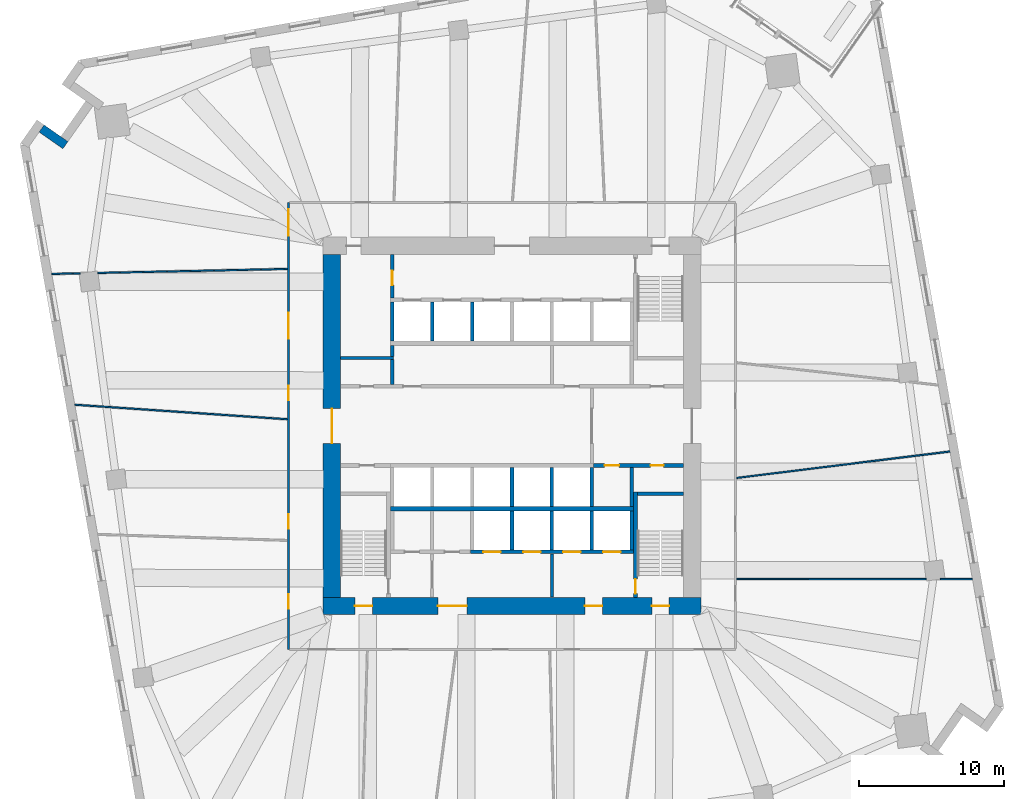
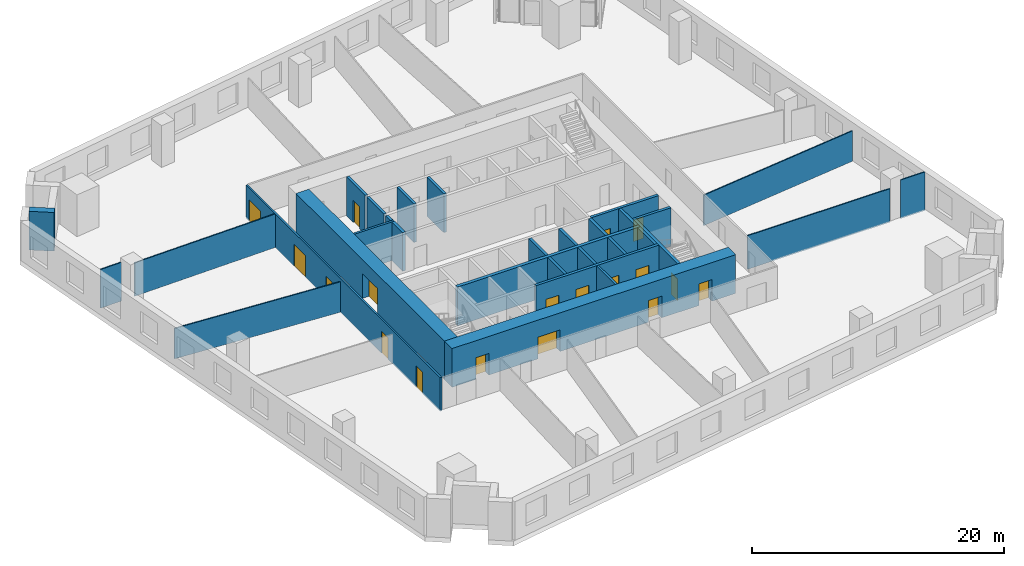
# One storey, part 5 of 10: 31 walls, 18 doors, 18 openings.
"""IFC4 building model written with IfcOpenShell, lengths in metres."""

from ifc_helpers import new_model, si_unit, direction, frame, frame_2d, origin, place, context, subcontext, project, spatial, rectangle, extrude, material, layer, layer_set, type_object, element, fill, save


model = new_model("IFC4")

# Units and contexts
model_context = context("Model", 3, precision=1e-05, world=origin(), true_north=direction((0.0, 1.0)))
body_context = subcontext(model_context, "Body", "Model", "MODEL_VIEW")
ifc_project = project(units=[si_unit("LENGTHUNIT", "METRE"), si_unit("AREAUNIT", "SQUARE_METRE"), si_unit("VOLUMEUNIT", "CUBIC_METRE"), si_unit("PLANEANGLEUNIT", "RADIAN"), si_unit("MASSUNIT", "GRAM", prefix="KILO")], contexts=[model_context])

# Site, building, storey
site_placement = place(None, origin())
site = spatial("IfcSite", under=ifc_project, at=site_placement, CompositionType="ELEMENT")
building_placement = place(site_placement, origin())
building = spatial("IfcBuilding", under=site, at=building_placement, Name="Dilmun Exchange Tower", CompositionType="ELEMENT")
storey_placement = place(building_placement, frame((0.0, 0.0, 63.89990234375)))
storey = spatial("IfcBuildingStorey", under=building, at=storey_placement, Name="L14", CompositionType="ELEMENT", Elevation=63.89990234375)

# Walls
ifc_material_1 = material(Name="Concrete C40/50", Category="concrete")
ifc_layer_1 = layer(ifc_material_1, 0.199951171875)
ifc_layer_set_1 = layer_set([ifc_layer_1], Name="Concrete C40/50")
wall_type_1 = type_object("IfcWallType", Name="Core partition wall 200", PredefinedType="PARTITIONING", material=ifc_layer_set_1)
wall_1_placement = place(storey_placement, frame((2.75, -11.794921875, 0.0), z_axis=(0.0, 0.0, 1.0), x_axis=(0.0, 1.0, 0.0)))
element("IfcWall", 1, at=wall_1_placement, inside=storey, type_object=wall_type_1, Name="L14 core partition wall 02", PredefinedType="PARTITIONING", context=body_context, shape_type="SweptSolid", body=[
    extrude(rectangle(XDim=2.989990234375, YDim=0.199951171875, at=frame_2d((1.4951171875, 0.0))), origin(), (0.0, 0.0, 1.0), 3.75),
])
wall_2_placement = place(storey_placement, frame((-11.794921875, 4.675048828125, 0.0), z_axis=(0.0, 0.0, 1.0), x_axis=(1.0, 0.0, 0.0)))
element("IfcWall", 2, at=wall_2_placement, inside=storey, type_object=wall_type_1, Name="L14 core partition wall 14", PredefinedType="PARTITIONING", context=body_context, shape_type="SweptSolid", body=[
    extrude(rectangle(XDim=3.64501953125, YDim=0.199951171875, at=frame_2d((1.822509765625, 0.0))), origin(), (0.0, 0.0, 1.0), 3.75),
])
ifc_layer_2 = layer(ifc_material_1, 0.25)
ifc_layer_set_2 = layer_set([ifc_layer_2], Name="Concrete C40/50")
wall_type_2 = type_object("IfcWallType", Name="Core partition wall 250", PredefinedType="PARTITIONING", material=ifc_layer_set_2)
wall_3_placement = place(storey_placement, frame((8.25, -5.544921875, 0.0), z_axis=(0.0, 0.0, 1.0), x_axis=(0.0, 1.0, 0.0)))
element("IfcWall", 3, at=wall_3_placement, inside=storey, type_object=wall_type_2, Name="L14 core partition wall 06", PredefinedType="PARTITIONING", context=body_context, shape_type="SweptSolid", body=[
    extrude(rectangle(XDim=2.68994140625, YDim=0.25, at=frame_2d((1.344970703125, 0.0))), origin(), (0.0, 0.0, 1.0), 3.75),
])

# Wall, openings, doors
wall_4_placement = place(storey_placement, frame((5.6298828125, -2.72509765625, 0.0), z_axis=(0.0, 0.0, 1.0), x_axis=(1.0, 0.0, 0.0)))
wall_4 = element("IfcWall", 4, at=wall_4_placement, inside=storey, type_object=wall_type_2, Name="L14 core partition wall 08", PredefinedType="PARTITIONING", context=body_context, shape_type="SweptSolid", body=[
    extrude(rectangle(XDim=6.1650390625, YDim=0.25, at=frame_2d((3.08251953125, 0.0))), origin(), (0.0, 0.0, 1.0), 3.75),
])
opening_1_placement = place(wall_4_placement, frame((0.7451171875, 0.0, 0.0)))
opening_1 = element("IfcOpeningElement", 5, at=opening_1_placement, cuts=wall_4, Name="Opening CD4", PredefinedType="OPENING", context=body_context, shape_type="SweptSolid", body=[
    extrude(rectangle(XDim=1.0, YDim=2.10009765625, at=frame_2d((0.5, 1.050048828125))), frame((0.0, 0.135009765625, 0.0), z_axis=(0.0, -1.0, 0.0), x_axis=(1.0, 0.0, 0.0)), (0.0, 0.0, 1.0), 0.27001953125),
])
opening_2_placement = place(wall_4_placement, frame((3.919921875, 0.0, 0.0)))
opening_2 = element("IfcOpeningElement", 6, at=opening_2_placement, cuts=wall_4, Name="Opening CD6", PredefinedType="OPENING", context=body_context, shape_type="SweptSolid", body=[
    extrude(rectangle(XDim=0.89990234375, YDim=2.10009765625, at=frame_2d((0.449951171875, 1.050048828125))), frame((0.0, 0.135009765625, 0.0), z_axis=(0.0, -1.0, 0.0), x_axis=(1.0, 0.0, 0.0)), (0.0, 0.0, 1.0), 0.27001953125),
])
ifc_material_2 = material(Name="Fire-rated steel door set", Category="steel")
door_type_1 = type_object("IfcDoorType", Name="Core room door 1000x2100", OperationType="SINGLE_SWING_LEFT", PredefinedType="DOOR", material=ifc_material_2)
door_1_placement = place(opening_1_placement, origin())
door_1 = element("IfcDoor", 7, at=door_1_placement, inside=storey, type_object=door_type_1, Name="L14 door Cleaners' store", OperationType="SINGLE_SWING_LEFT", OverallHeight=2.10009765625, OverallWidth=1.0, PredefinedType="DOOR", context=body_context, shape_type="SweptSolid", body=[
    extrude(rectangle(XDim=1.0, YDim=2.10009765625, at=frame_2d((0.5, 1.050048828125))), frame((0.0, 0.02490234375, 0.0), z_axis=(0.0, -1.0, 0.0), x_axis=(1.0, 0.0, 0.0)), (0.0, 0.0, 1.0), 0.050048828125),
])
fill(opening_1, door_1)
door_type_2 = type_object("IfcDoorType", Name="Core room door 900x2100", OperationType="SINGLE_SWING_LEFT", PredefinedType="DOOR", material=ifc_material_2)
door_2_placement = place(opening_2_placement, origin())
door_2 = element("IfcDoor", 8, at=door_2_placement, inside=storey, type_object=door_type_2, Name="L14 door Comms riser", OperationType="SINGLE_SWING_LEFT", OverallHeight=2.10009765625, OverallWidth=0.89990234375, PredefinedType="DOOR", context=body_context, shape_type="SweptSolid", body=[
    extrude(rectangle(XDim=0.89990234375, YDim=2.10009765625, at=frame_2d((0.449951171875, 1.050048828125))), frame((0.0, 0.02490234375, 0.0), z_axis=(0.0, -1.0, 0.0), x_axis=(1.0, 0.0, 0.0)), (0.0, 0.0, 1.0), 0.050048828125),
])
fill(opening_2, door_2)

# Walls
wall_5_placement = place(storey_placement, frame((-8.25, 2.85498046875, 0.0), z_axis=(0.0, 0.0, 1.0), x_axis=(0.0, 1.0, 0.0)))
element("IfcWall", 9, at=wall_5_placement, inside=storey, type_object=wall_type_2, Name="L14 core partition wall 11", PredefinedType="PARTITIONING", context=body_context, shape_type="SweptSolid", body=[
    extrude(rectangle(XDim=1.715087890625, YDim=0.25, at=frame_2d((0.857421875, 0.0))), origin(), (0.0, 0.0, 1.0), 3.75),
])
wall_6_placement = place(storey_placement, frame((-8.25, 4.780029296875, 0.0), z_axis=(0.0, 0.0, 1.0), x_axis=(0.0, 1.0, 0.0)))
element("IfcWall", 10, at=wall_6_placement, inside=storey, type_object=wall_type_2, Name="L14 core partition wall 15", PredefinedType="PARTITIONING", context=body_context, shape_type="SweptSolid", body=[
    extrude(rectangle(XDim=0.764892578125, YDim=0.25, at=frame_2d((0.38232421875, 0.0))), origin(), (0.0, 0.0, 1.0), 3.75),
])

# Wall, opening, door
wall_7_placement = place(storey_placement, frame((-8.25, 8.804931640625, 0.0), z_axis=(0.0, 0.0, 1.0), x_axis=(0.0, 1.0, 0.0)))
wall_7 = element("IfcWall", 11, at=wall_7_placement, inside=storey, type_object=wall_type_2, Name="L14 core partition wall 16", PredefinedType="PARTITIONING", context=body_context, shape_type="SweptSolid", body=[
    extrude(rectangle(XDim=2.989990234375, YDim=0.25, at=frame_2d((1.4951171875, 0.0))), origin(), (0.0, 0.0, 1.0), 3.75),
])
opening_3_placement = place(wall_7_placement, frame((0.89501953125, 0.0, 0.0)))
opening_3 = element("IfcOpeningElement", 12, at=opening_3_placement, cuts=wall_7, Name="Opening CD4", PredefinedType="OPENING", context=body_context, shape_type="SweptSolid", body=[
    extrude(rectangle(XDim=1.0, YDim=2.10009765625, at=frame_2d((0.5, 1.050048828125))), frame((0.0, 0.135009765625, 0.0), z_axis=(0.0, -1.0, 0.0), x_axis=(1.0, 0.0, 0.0)), (0.0, 0.0, 1.0), 0.27001953125),
])
door_3_placement = place(opening_3_placement, origin())
door_3 = element("IfcDoor", 13, at=door_3_placement, inside=storey, type_object=door_type_1, Name="L14 door Facilities office", OperationType="SINGLE_SWING_LEFT", OverallHeight=2.10009765625, OverallWidth=1.0, PredefinedType="DOOR", context=body_context, shape_type="SweptSolid", body=[
    extrude(rectangle(XDim=1.0, YDim=2.10009765625, at=frame_2d((0.5, 1.050048828125))), frame((0.0, 0.02490234375, 0.0), z_axis=(0.0, -1.0, 0.0), x_axis=(1.0, 0.0, 0.0)), (0.0, 0.0, 1.0), 0.050048828125),
])
fill(opening_3, door_3)

# Wall, openings, doors
ifc_material_3 = material(Name="Concrete C80/95", Category="concrete")
ifc_layer_3 = layer(ifc_material_3, 1.199951171875)
ifc_layer_set_3 = layer_set([ifc_layer_3], Name="Concrete C80/95")
wall_type_3 = type_object("IfcWallType", Name="Core shear wall 1200 Concrete C80/95", PredefinedType="SHEAR", material=ifc_layer_set_3)
wall_8_placement = place(storey_placement, frame((-13.0, -12.39990234375, 0.0), z_axis=(0.0, 0.0, 1.0), x_axis=(1.0, 0.0, 0.0)))
wall_8 = element("IfcWall", 14, at=wall_8_placement, inside=storey, type_object=wall_type_3, Name="L14 core shear wall S", PredefinedType="SHEAR", context=body_context, shape_type="SweptSolid", body=[
    extrude(rectangle(XDim=26.0, YDim=1.199951171875, at=frame_2d((13.0, 0.0))), origin(), (0.0, 0.0, 1.0), 3.75),
])
opening_4_placement = place(wall_8_placement, frame((7.89990234375, 0.0, 0.0)))
opening_4 = element("IfcOpeningElement", 15, at=opening_4_placement, cuts=wall_8, Name="Opening CD2", PredefinedType="OPENING", context=body_context, shape_type="SweptSolid", body=[
    extrude(rectangle(XDim=2.0, YDim=2.10009765625, at=frame_2d((1.0, 1.050048828125))), frame((0.0, 0.60986328125, 0.0), z_axis=(0.0, -1.0, 0.0), x_axis=(1.0, 0.0, 0.0)), (0.0, 0.0, 1.0), 1.219970703125),
])
opening_5_placement = place(wall_8_placement, frame((18.02490234375, 0.0, 0.0)))
opening_5 = element("IfcOpeningElement", 16, at=opening_5_placement, cuts=wall_8, Name="Opening CD3", PredefinedType="OPENING", context=body_context, shape_type="SweptSolid", body=[
    extrude(rectangle(XDim=1.199951171875, YDim=2.10009765625, at=frame_2d((0.60009765625, 1.050048828125))), frame((0.0, 0.60986328125, 0.0), z_axis=(0.0, -1.0, 0.0), x_axis=(1.0, 0.0, 0.0)), (0.0, 0.0, 1.0), 1.219970703125),
])
opening_6_placement = place(wall_8_placement, frame((2.175048828125, 0.0, 0.0)))
opening_6 = element("IfcOpeningElement", 17, at=opening_6_placement, cuts=wall_8, Name="Opening CD3", PredefinedType="OPENING", context=body_context, shape_type="SweptSolid", body=[
    extrude(rectangle(XDim=1.199951171875, YDim=2.10009765625, at=frame_2d((0.60009765625, 1.050048828125))), frame((0.0, 0.60986328125, 0.0), z_axis=(0.0, -1.0, 0.0), x_axis=(1.0, 0.0, 0.0)), (0.0, 0.0, 1.0), 1.219970703125),
])
opening_7_placement = place(wall_8_placement, frame((22.625, 0.0, 0.0)))
opening_7 = element("IfcOpeningElement", 18, at=opening_7_placement, cuts=wall_8, Name="Opening CD3", PredefinedType="OPENING", context=body_context, shape_type="SweptSolid", body=[
    extrude(rectangle(XDim=1.199951171875, YDim=2.10009765625, at=frame_2d((0.60009765625, 1.050048828125))), frame((0.0, 0.60986328125, 0.0), z_axis=(0.0, -1.0, 0.0), x_axis=(1.0, 0.0, 0.0)), (0.0, 0.0, 1.0), 1.219970703125),
])
door_type_3 = type_object("IfcDoorType", Name="Core service door 2000x2100", OperationType="DOUBLE_DOOR_DOUBLE_SWING", PredefinedType="DOOR", material=ifc_material_2)
door_4_placement = place(opening_4_placement, origin())
door_4 = element("IfcDoor", 19, at=door_4_placement, inside=storey, type_object=door_type_3, Name="L14 door South service lobby", OperationType="SINGLE_SWING_LEFT", OverallHeight=2.10009765625, OverallWidth=2.0, PredefinedType="DOOR", context=body_context, shape_type="SweptSolid", body=[
    extrude(rectangle(XDim=2.0, YDim=2.10009765625, at=frame_2d((1.0, 1.050048828125))), frame((0.0, 0.02490234375, 0.0), z_axis=(0.0, -1.0, 0.0), x_axis=(1.0, 0.0, 0.0)), (0.0, 0.0, 1.0), 0.050048828125),
])
fill(opening_4, door_4)
door_type_4 = type_object("IfcDoorType", Name="Stair exit door 1200x2100", OperationType="SINGLE_SWING_LEFT", PredefinedType="DOOR", material=ifc_material_2)
door_5_placement = place(opening_5_placement, origin())
door_5 = element("IfcDoor", 20, at=door_5_placement, inside=storey, type_object=door_type_4, Name="L14 door Fire-fighting lobby", OperationType="SINGLE_SWING_LEFT", OverallHeight=2.10009765625, OverallWidth=1.199951171875, PredefinedType="DOOR", context=body_context, shape_type="SweptSolid", body=[
    extrude(rectangle(XDim=1.199951171875, YDim=2.10009765625, at=frame_2d((0.60009765625, 1.050048828125))), frame((0.0, 0.02490234375, 0.0), z_axis=(0.0, -1.0, 0.0), x_axis=(1.0, 0.0, 0.0)), (0.0, 0.0, 1.0), 0.050048828125),
])
fill(opening_5, door_5)
door_6_placement = place(opening_6_placement, origin())
door_6 = element("IfcDoor", 21, at=door_6_placement, inside=storey, type_object=door_type_4, Name="L14 door Stair ST2", OperationType="SINGLE_SWING_LEFT", OverallHeight=2.10009765625, OverallWidth=1.199951171875, PredefinedType="DOOR", context=body_context, shape_type="SweptSolid", body=[
    extrude(rectangle(XDim=1.199951171875, YDim=2.10009765625, at=frame_2d((0.60009765625, 1.050048828125))), frame((0.0, 0.02490234375, 0.0), z_axis=(0.0, -1.0, 0.0), x_axis=(1.0, 0.0, 0.0)), (0.0, 0.0, 1.0), 0.050048828125),
])
fill(opening_6, door_6)
door_7_placement = place(opening_7_placement, origin())
door_7 = element("IfcDoor", 22, at=door_7_placement, inside=storey, type_object=door_type_4, Name="L14 door Stair ST3", OperationType="SINGLE_SWING_LEFT", OverallHeight=2.10009765625, OverallWidth=1.199951171875, PredefinedType="DOOR", context=body_context, shape_type="SweptSolid", body=[
    extrude(rectangle(XDim=1.199951171875, YDim=2.10009765625, at=frame_2d((0.60009765625, 1.050048828125))), frame((0.0, 0.02490234375, 0.0), z_axis=(0.0, -1.0, 0.0), x_axis=(1.0, 0.0, 0.0)), (0.0, 0.0, 1.0), 0.050048828125),
])
fill(opening_7, door_7)

# Wall, opening, door
wall_9_placement = place(storey_placement, frame((-12.39990234375, -11.800048828125, 0.0), z_axis=(0.0, 0.0, 1.0), x_axis=(0.0, 1.0, 0.0)))
wall_9 = element("IfcWall", 23, at=wall_9_placement, inside=storey, type_object=wall_type_3, Name="L14 core shear wall W", PredefinedType="SHEAR", context=body_context, shape_type="SweptSolid", body=[
    extrude(rectangle(XDim=23.60009765625, YDim=1.199951171875, at=frame_2d((11.800048828125, 0.0))), origin(), (0.0, 0.0, 1.0), 3.75),
])
opening_8_placement = place(wall_9_placement, frame((10.60009765625, 0.0, 0.0)))
opening_8 = element("IfcOpeningElement", 24, at=opening_8_placement, cuts=wall_9, Name="Opening CD1", PredefinedType="OPENING", context=body_context, shape_type="SweptSolid", body=[
    extrude(rectangle(XDim=2.39990234375, YDim=2.39990234375, at=frame_2d((1.199951171875, 1.199951171875))), frame((0.0, 0.60986328125, 0.0), z_axis=(0.0, -1.0, 0.0), x_axis=(1.0, 0.0, 0.0)), (0.0, 0.0, 1.0), 1.219970703125),
])
door_type_5 = type_object("IfcDoorType", Name="Core lobby door 2400x2400", OperationType="DOUBLE_DOOR_DOUBLE_SWING", PredefinedType="DOOR", material=ifc_material_2)
door_8_placement = place(opening_8_placement, origin())
door_8 = element("IfcDoor", 25, at=door_8_placement, inside=storey, type_object=door_type_5, Name="L14 door Central lift lobby", OperationType="SINGLE_SWING_LEFT", OverallHeight=2.39990234375, OverallWidth=2.39990234375, PredefinedType="DOOR", context=body_context, shape_type="SweptSolid", body=[
    extrude(rectangle(XDim=2.39990234375, YDim=2.39990234375, at=frame_2d((1.199951171875, 1.199951171875))), frame((0.0, 0.02490234375, 0.0), z_axis=(0.0, -1.0, 0.0), x_axis=(1.0, 0.0, 0.0)), (0.0, 0.0, 1.0), 0.050048828125),
])
fill(opening_8, door_8)

# Wall, openings, doors
ifc_material_4 = material(Name="Corridor wall 150")
ifc_layer_4 = layer(ifc_material_4, 0.14990234375)
ifc_layer_set_4 = layer_set([ifc_layer_4], Name="Corridor wall 150")
wall_type_4 = type_object("IfcWallType", Name="Corridor wall 150", PredefinedType="PARTITIONING", material=ifc_layer_set_4)
wall_10_placement = place(storey_placement, frame((-15.39990234375, -15.39990234375, 0.0), z_axis=(0.0, 0.0, 1.0), x_axis=(0.0, 1.0, 0.0)))
wall_10 = element("IfcWall", 26, at=wall_10_placement, inside=storey, type_object=wall_type_4, Name="Corridor wall", PredefinedType="PARTITIONING", context=body_context, shape_type="SweptSolid", body=[
    extrude(rectangle(XDim=30.7998046875, YDim=0.14990234375, at=frame_2d((15.39990234375, 0.0))), origin(), (0.0, 0.0, 1.0), 3.25),
])
opening_9_placement = place(wall_10_placement, frame((21.40771484375, 0.0, 0.0)))
opening_9 = element("IfcOpeningElement", 27, at=opening_9_placement, cuts=wall_10, Name="Opening TF13-D01", PredefinedType="OPENING", context=body_context, shape_type="SweptSolid", body=[
    extrude(rectangle(XDim=1.800048828125, YDim=2.10009765625, at=frame_2d((0.89990234375, 1.050048828125))), frame((0.0, 0.0849609375, 0.0), z_axis=(0.0, -1.0, 0.0), x_axis=(1.0, 0.0, 0.0)), (0.0, 0.0, 1.0), 0.169921875),
])
opening_10_placement = place(wall_10_placement, frame((17.15771484375, 0.0, 0.0)))
opening_10 = element("IfcOpeningElement", 28, at=opening_10_placement, cuts=wall_10, Name="Opening TF13-D02", PredefinedType="OPENING", context=body_context, shape_type="SweptSolid", body=[
    extrude(rectangle(XDim=1.0, YDim=2.10009765625, at=frame_2d((0.5, 1.050048828125))), frame((0.0, 0.0849609375, 0.0), z_axis=(0.0, -1.0, 0.0), x_axis=(1.0, 0.0, 0.0)), (0.0, 0.0, 1.0), 0.169921875),
])
opening_11_placement = place(wall_10_placement, frame((8.31640625, 0.0, 0.0)))
opening_11 = element("IfcOpeningElement", 29, at=opening_11_placement, cuts=wall_10, Name="Opening TF13-D03", PredefinedType="OPENING", context=body_context, shape_type="SweptSolid", body=[
    extrude(rectangle(XDim=1.0, YDim=2.10009765625, at=frame_2d((0.5, 1.050048828125))), frame((0.0, 0.0849609375, 0.0), z_axis=(0.0, -1.0, 0.0), x_axis=(1.0, 0.0, 0.0)), (0.0, 0.0, 1.0), 0.169921875),
])
opening_12_placement = place(wall_10_placement, frame((28.516357421875, 0.0, 0.0)))
opening_12 = element("IfcOpeningElement", 30, at=opening_12_placement, cuts=wall_10, Name="Opening TF13-D04", PredefinedType="OPENING", context=body_context, shape_type="SweptSolid", body=[
    extrude(rectangle(XDim=1.800048828125, YDim=2.10009765625, at=frame_2d((0.89990234375, 1.050048828125))), frame((0.0, 0.0849609375, 0.0), z_axis=(0.0, -1.0, 0.0), x_axis=(1.0, 0.0, 0.0)), (0.0, 0.0, 1.0), 0.169921875),
])
opening_13_placement = place(wall_10_placement, frame((2.800048828125, 0.0, 0.0)))
opening_13 = element("IfcOpeningElement", 31, at=opening_13_placement, cuts=wall_10, Name="Opening TF13-D07", PredefinedType="OPENING", context=body_context, shape_type="SweptSolid", body=[
    extrude(rectangle(XDim=1.0, YDim=2.10009765625, at=frame_2d((0.5, 1.050048828125))), frame((0.0, 0.0849609375, 0.0), z_axis=(0.0, -1.0, 0.0), x_axis=(1.0, 0.0, 0.0)), (0.0, 0.0, 1.0), 0.169921875),
])
ifc_material_5 = material(Name="Fire door 1000 x 2100")
door_type_6 = type_object("IfcDoorType", Name="Fire door 1000 x 2100", OperationType="NOTDEFINED", PredefinedType="DOOR", material=ifc_material_5)
door_9_placement = place(opening_10_placement, origin())
door_9 = element("IfcDoor", 32, at=door_9_placement, inside=storey, type_object=door_type_6, Name="Door TF13-D02", OperationType="SINGLE_SWING_LEFT", OverallHeight=2.10009765625, OverallWidth=1.0, PredefinedType="DOOR", context=body_context, shape_type="SweptSolid", body=[
    extrude(rectangle(XDim=1.0, YDim=2.10009765625, at=frame_2d((0.5, 1.050048828125))), frame((0.0, 0.02490234375, 0.0), z_axis=(0.0, -1.0, 0.0), x_axis=(1.0, 0.0, 0.0)), (0.0, 0.0, 1.0), 0.050048828125),
])
fill(opening_10, door_9)
door_10_placement = place(opening_11_placement, origin())
door_10 = element("IfcDoor", 33, at=door_10_placement, inside=storey, type_object=door_type_6, Name="Door TF13-D03", OperationType="SINGLE_SWING_RIGHT", OverallHeight=2.10009765625, OverallWidth=1.0, PredefinedType="DOOR", context=body_context, shape_type="SweptSolid", body=[
    extrude(rectangle(XDim=1.0, YDim=2.10009765625, at=frame_2d((0.5, 1.050048828125))), frame((0.0, 0.02490234375, 0.0), z_axis=(0.0, -1.0, 0.0), x_axis=(1.0, 0.0, 0.0)), (0.0, 0.0, 1.0), 0.050048828125),
])
fill(opening_11, door_10)
door_11_placement = place(opening_13_placement, origin())
door_11 = element("IfcDoor", 34, at=door_11_placement, inside=storey, type_object=door_type_6, Name="Door TF13-D07", OperationType="SINGLE_SWING_RIGHT", OverallHeight=2.10009765625, OverallWidth=1.0, PredefinedType="DOOR", context=body_context, shape_type="SweptSolid", body=[
    extrude(rectangle(XDim=1.0, YDim=2.10009765625, at=frame_2d((0.5, 1.050048828125))), frame((0.0, 0.02490234375, 0.0), z_axis=(0.0, -1.0, 0.0), x_axis=(1.0, 0.0, 0.0)), (0.0, 0.0, 1.0), 0.050048828125),
])
fill(opening_13, door_11)
ifc_material_6 = material(Name="Fire door pair 1800 x 2100")
door_type_7 = type_object("IfcDoorType", Name="Fire door pair 1800 x 2100", OperationType="NOTDEFINED", PredefinedType="DOOR", material=ifc_material_6)
door_12_placement = place(opening_9_placement, origin())
door_12 = element("IfcDoor", 35, at=door_12_placement, inside=storey, type_object=door_type_7, Name="Door TF13-D01", OperationType="DOUBLE_DOOR_SINGLE_SWING", OverallHeight=2.10009765625, OverallWidth=1.800048828125, PredefinedType="DOOR", context=body_context, shape_type="SweptSolid", body=[
    extrude(rectangle(XDim=1.800048828125, YDim=2.10009765625, at=frame_2d((0.89990234375, 1.050048828125))), frame((0.0, 0.02490234375, 0.0), z_axis=(0.0, -1.0, 0.0), x_axis=(1.0, 0.0, 0.0)), (0.0, 0.0, 1.0), 0.050048828125),
])
fill(opening_9, door_12)
door_13_placement = place(opening_12_placement, origin())
door_13 = element("IfcDoor", 36, at=door_13_placement, inside=storey, type_object=door_type_7, Name="Door TF13-D04", OperationType="DOUBLE_DOOR_SINGLE_SWING", OverallHeight=2.10009765625, OverallWidth=1.800048828125, PredefinedType="DOOR", context=body_context, shape_type="SweptSolid", body=[
    extrude(rectangle(XDim=1.800048828125, YDim=2.10009765625, at=frame_2d((0.89990234375, 1.050048828125))), frame((0.0, 0.02490234375, 0.0), z_axis=(0.0, -1.0, 0.0), x_axis=(1.0, 0.0, 0.0)), (0.0, 0.0, 1.0), 0.050048828125),
])
fill(opening_12, door_13)

# Walls
ifc_layer_5 = layer(ifc_material_1, 0.300048828125)
ifc_layer_set_5 = layer_set([ifc_layer_5], Name="Concrete C40/50")
wall_type_5 = type_object("IfcWallType", Name="Lift shaft shared wall 300", PredefinedType="SOLIDWALL", material=ifc_layer_set_5)
wall_11_placement = place(storey_placement, frame((-8.375, -5.699951171875, 0.0), z_axis=(0.0, 0.0, 1.0), x_axis=(1.0, 0.0, 0.0)))
element("IfcWall", 37, at=wall_11_placement, inside=storey, type_object=wall_type_5, Name="L14 lift shaft rear wall S", PredefinedType="SOLIDWALL", context=body_context, shape_type="SweptSolid", body=[
    extrude(rectangle(XDim=16.75, YDim=0.300048828125, at=frame_2d((8.375, 0.0))), origin(), (0.0, 0.0, 1.0), 3.75),
])
ifc_layer_6 = layer(ifc_material_1, 0.25)
ifc_layer_set_6 = layer_set([ifc_layer_6], Name="Concrete C40/50")
wall_type_6 = type_object("IfcWallType", Name="Lift shaft wall 250", PredefinedType="SOLIDWALL", material=ifc_layer_set_6)
for number, where, z_axis, x_axis, name in (
    (38, (-8.25, 5.85009765625, 0.0), (0.0, 0.0, 1.0), (0.0, 1.0, 0.0), "L14 lift shaft divider N20"),
    (39, (-5.5, 5.85009765625, 0.0), (0.0, 0.0, 1.0), (0.0, 1.0, 0.0), "L14 lift shaft divider N21"),
    (40, (-2.75, 5.85009765625, 0.0), (0.0, 0.0, 1.0), (0.0, 1.0, 0.0), "L14 lift shaft divider N22"),
    (41, (0.0, -5.550048828125, 0.0), (0.0, 0.0, 1.0), (0.0, 1.0, 0.0), "L14 lift shaft divider S13"),
    (42, (2.75, -5.550048828125, 0.0), (0.0, 0.0, 1.0), (0.0, 1.0, 0.0), "L14 lift shaft divider S14"),
    (43, (5.5, -5.550048828125, 0.0), (0.0, 0.0, 1.0), (0.0, 1.0, 0.0), "L14 lift shaft divider S15"),
):
    element("IfcWall", number, at=place(storey_placement, frame(where, z_axis=z_axis, x_axis=x_axis)), inside=storey, type_object=wall_type_6, Name=name, PredefinedType="SOLIDWALL", context=body_context, shape_type="SweptSolid", body=[
        extrude(rectangle(XDim=2.699951171875, YDim=0.25, at=frame_2d((1.35009765625, 0.0))), origin(), (0.0, 0.0, 1.0), 3.75),
    ])

# Wall, openings, doors
wall_12_placement = place(storey_placement, frame((-2.875, -8.675048828125, 0.0), z_axis=(0.0, 0.0, 1.0), x_axis=(1.0, 0.0, 0.0)))
wall_12 = element("IfcWall", 44, at=wall_12_placement, inside=storey, type_object=wall_type_6, Name="L14 lift shaft front wall S2", PredefinedType="SOLIDWALL", context=body_context, shape_type="SweptSolid", body=[
    extrude(rectangle(XDim=11.25, YDim=0.25, at=frame_2d((5.625, 0.0))), origin(), (0.0, 0.0, 1.0), 3.75),
])
opening_14_placement = place(wall_12_placement, frame((0.89990234375, 0.0, 0.0)))
opening_14 = element("IfcOpeningElement", 45, at=opening_14_placement, cuts=wall_12, Name="Opening LD", PredefinedType="OPENING", context=body_context, shape_type="SweptSolid", body=[
    extrude(rectangle(XDim=1.199951171875, YDim=2.10009765625, at=frame_2d((0.60009765625, 1.050048828125))), frame((0.0, 0.135009765625, 0.0), z_axis=(0.0, -1.0, 0.0), x_axis=(1.0, 0.0, 0.0)), (0.0, 0.0, 1.0), 0.27001953125),
])
opening_15_placement = place(wall_12_placement, frame((3.64990234375, 0.0, 0.0)))
opening_15 = element("IfcOpeningElement", 46, at=opening_15_placement, cuts=wall_12, Name="Opening LD", PredefinedType="OPENING", context=body_context, shape_type="SweptSolid", body=[
    extrude(rectangle(XDim=1.199951171875, YDim=2.10009765625, at=frame_2d((0.60009765625, 1.050048828125))), frame((0.0, 0.135009765625, 0.0), z_axis=(0.0, -1.0, 0.0), x_axis=(1.0, 0.0, 0.0)), (0.0, 0.0, 1.0), 0.27001953125),
])
opening_16_placement = place(wall_12_placement, frame((6.39990234375, 0.0, 0.0)))
opening_16 = element("IfcOpeningElement", 47, at=opening_16_placement, cuts=wall_12, Name="Opening LD", PredefinedType="OPENING", context=body_context, shape_type="SweptSolid", body=[
    extrude(rectangle(XDim=1.199951171875, YDim=2.10009765625, at=frame_2d((0.60009765625, 1.050048828125))), frame((0.0, 0.135009765625, 0.0), z_axis=(0.0, -1.0, 0.0), x_axis=(1.0, 0.0, 0.0)), (0.0, 0.0, 1.0), 0.27001953125),
])
opening_17_placement = place(wall_12_placement, frame((9.14990234375, 0.0, 0.0)))
opening_17 = element("IfcOpeningElement", 48, at=opening_17_placement, cuts=wall_12, Name="Opening LD", PredefinedType="OPENING", context=body_context, shape_type="SweptSolid", body=[
    extrude(rectangle(XDim=1.199951171875, YDim=2.10009765625, at=frame_2d((0.60009765625, 1.050048828125))), frame((0.0, 0.135009765625, 0.0), z_axis=(0.0, -1.0, 0.0), x_axis=(1.0, 0.0, 0.0)), (0.0, 0.0, 1.0), 0.27001953125),
])
door_type_8 = type_object("IfcDoorType", Name="Lift landing door 1200x2100", OperationType="DOUBLE_DOOR_SLIDING", PredefinedType="DOOR", material=ifc_material_2)
door_14_placement = place(opening_14_placement, origin())
door_14 = element("IfcDoor", 49, at=door_14_placement, inside=storey, type_object=door_type_8, Name="L14 landing door SV1", OperationType="DOUBLE_DOOR_SLIDING", OverallHeight=2.10009765625, OverallWidth=1.199951171875, PredefinedType="DOOR", context=body_context, shape_type="SweptSolid", body=[
    extrude(rectangle(XDim=1.199951171875, YDim=2.10009765625, at=frame_2d((0.60009765625, 1.050048828125))), frame((0.0, 0.02490234375, 0.0), z_axis=(0.0, -1.0, 0.0), x_axis=(1.0, 0.0, 0.0)), (0.0, 0.0, 1.0), 0.050048828125),
])
fill(opening_14, door_14)
door_15_placement = place(opening_15_placement, origin())
door_15 = element("IfcDoor", 50, at=door_15_placement, inside=storey, type_object=door_type_8, Name="L14 landing door SV2", OperationType="DOUBLE_DOOR_SLIDING", OverallHeight=2.10009765625, OverallWidth=1.199951171875, PredefinedType="DOOR", context=body_context, shape_type="SweptSolid", body=[
    extrude(rectangle(XDim=1.199951171875, YDim=2.10009765625, at=frame_2d((0.60009765625, 1.050048828125))), frame((0.0, 0.02490234375, 0.0), z_axis=(0.0, -1.0, 0.0), x_axis=(1.0, 0.0, 0.0)), (0.0, 0.0, 1.0), 0.050048828125),
])
fill(opening_15, door_15)
door_16_placement = place(opening_16_placement, origin())
door_16 = element("IfcDoor", 51, at=door_16_placement, inside=storey, type_object=door_type_8, Name="L14 landing door FF1", OperationType="DOUBLE_DOOR_SLIDING", OverallHeight=2.10009765625, OverallWidth=1.199951171875, PredefinedType="DOOR", context=body_context, shape_type="SweptSolid", body=[
    extrude(rectangle(XDim=1.199951171875, YDim=2.10009765625, at=frame_2d((0.60009765625, 1.050048828125))), frame((0.0, 0.02490234375, 0.0), z_axis=(0.0, -1.0, 0.0), x_axis=(1.0, 0.0, 0.0)), (0.0, 0.0, 1.0), 0.050048828125),
])
fill(opening_16, door_16)
door_17_placement = place(opening_17_placement, origin())
door_17 = element("IfcDoor", 52, at=door_17_placement, inside=storey, type_object=door_type_8, Name="L14 landing door FF2", OperationType="DOUBLE_DOOR_SLIDING", OverallHeight=2.10009765625, OverallWidth=1.199951171875, PredefinedType="DOOR", context=body_context, shape_type="SweptSolid", body=[
    extrude(rectangle(XDim=1.199951171875, YDim=2.10009765625, at=frame_2d((0.60009765625, 1.050048828125))), frame((0.0, 0.02490234375, 0.0), z_axis=(0.0, -1.0, 0.0), x_axis=(1.0, 0.0, 0.0)), (0.0, 0.0, 1.0), 0.050048828125),
])
fill(opening_17, door_17)

# Walls
for number, where, z_axis, x_axis, name in (
    (53, (0.0, -8.550048828125, 0.0), (0.0, 0.0, 1.0), (0.0, 1.0, 0.0), "L14 lift shaft divider S23"),
    (54, (2.75, -8.550048828125, 0.0), (0.0, 0.0, 1.0), (0.0, 1.0, 0.0), "L14 lift shaft divider S24"),
    (55, (5.5, -8.550048828125, 0.0), (0.0, 0.0, 1.0), (0.0, 1.0, 0.0), "L14 lift shaft divider S25"),
    (56, (8.25, -8.550048828125, 0.0), (0.0, 0.0, 1.0), (0.0, 1.0, 0.0), "L14 lift shaft divider S26"),
):
    element("IfcWall", number, at=place(storey_placement, frame(where, z_axis=z_axis, x_axis=x_axis)), inside=storey, type_object=wall_type_6, Name=name, PredefinedType="SOLIDWALL", context=body_context, shape_type="SweptSolid", body=[
        extrude(rectangle(XDim=2.699951171875, YDim=0.25, at=frame_2d((1.35009765625, 0.0))), origin(), (0.0, 0.0, 1.0), 3.75),
    ])
ifc_material_7 = material(Name="Partition 100")
ifc_layer_7 = layer(ifc_material_7, 0.10009765625)
ifc_layer_set_7 = layer_set([ifc_layer_7], Name="Partition 100")
wall_type_7 = type_object("IfcWallType", Name="Partition 100", PredefinedType="PARTITIONING", material=ifc_layer_set_7)
wall_13_placement = place(storey_placement, frame((-31.69775390625, 10.470947265625, 0.0), z_axis=(0.0, 0.0, 1.0), x_axis=(0.999775991134, 0.021165243956, 0.0)))
element("IfcWall", 57, at=wall_13_placement, inside=storey, type_object=wall_type_7, Name="Partition", PredefinedType="PARTITIONING", context=body_context, shape_type="SweptSolid", body=[
    extrude(rectangle(XDim=1.949462890625, YDim=0.10009765625, at=frame_2d((0.974609375, 0.0))), origin(), (0.0, 0.0, 1.0), 3.75),
])
wall_14_placement = place(storey_placement, frame((-30.109619140625, 1.463623046875, 0.0), z_axis=(0.0, 0.0, 1.0), x_axis=(0.997671325377, -0.068205032957, 0.0)))
element("IfcWall", 58, at=wall_14_placement, inside=storey, type_object=wall_type_7, Name="Partition", PredefinedType="PARTITIONING", context=body_context, shape_type="SweptSolid", body=[
    extrude(rectangle(XDim=14.665283203125, YDim=0.10009765625, at=frame_2d((7.33251953125, 0.0))), origin(), (0.0, 0.0, 1.0), 2.9501953125),
])
wall_15_placement = place(storey_placement, frame((-28.517333984375, 10.53857421875, 0.0), z_axis=(0.0, 0.0, 1.0), x_axis=(0.999774736742, 0.02122441454, 0.0)))
element("IfcWall", 59, at=wall_15_placement, inside=storey, type_object=wall_type_7, Name="Partition", PredefinedType="PARTITIONING", context=body_context, shape_type="SweptSolid", body=[
    extrude(rectangle(XDim=13.044189453125, YDim=0.10009765625, at=frame_2d((6.52197265625, 0.0))), origin(), (0.0, 0.0, 1.0), 3.25),
])
wall_16_placement = place(storey_placement, frame((15.47509765625, -10.5380859375, 0.0), z_axis=(0.0, 0.0, 1.0), x_axis=(0.999999862655, -0.000524108943, 0.0)))
element("IfcWall", 60, at=wall_16_placement, inside=storey, type_object=wall_type_7, Name="Partition", PredefinedType="PARTITIONING", context=body_context, shape_type="SweptSolid", body=[
    extrude(rectangle(XDim=13.04296875, YDim=0.10009765625, at=frame_2d((6.521484375, 0.0))), origin(), (0.0, 0.0, 1.0), 3.25),
])
wall_17_placement = place(storey_placement, frame((15.481201171875, -3.576904296875, 0.0), z_axis=(0.0, 0.0, 1.0), x_axis=(0.992414130602, 0.12293979576, 0.0)))
element("IfcWall", 61, at=wall_17_placement, inside=storey, type_object=wall_type_7, Name="Partition", PredefinedType="PARTITIONING", context=body_context, shape_type="SweptSolid", body=[
    extrude(rectangle(XDim=14.792724609375, YDim=0.10009765625, at=frame_2d((7.396484375, 0.0))), origin(), (0.0, 0.0, 1.0), 2.9501953125),
])
wall_18_placement = place(storey_placement, frame((29.503173828125, -10.54541015625, 0.0), z_axis=(0.0, 0.0, 1.0), x_axis=(0.999999847177, -0.000552852636, 0.0)))
element("IfcWall", 62, at=wall_18_placement, inside=storey, type_object=wall_type_7, Name="Partition", PredefinedType="PARTITIONING", context=body_context, shape_type="SweptSolid", body=[
    extrude(rectangle(XDim=2.2080078125, YDim=0.10009765625, at=frame_2d((1.10400390625, 0.0))), origin(), (0.0, 0.0, 1.0), 3.75),
])
ifc_material_8 = material(Name="Precast concrete C50/60", Category="concrete")
ifc_layer_8 = layer(ifc_material_8, 0.60009765625)
ifc_layer_set_8 = layer_set([ifc_layer_8], Name="Precast concrete C50/60")
wall_type_8 = type_object("IfcWallType", Name="Precast stone-clad wall 600", PredefinedType="STANDARD", material=ifc_layer_set_8)
wall_19_placement = place(storey_placement, frame((-30.76025390625, 19.341064453125, 0.0), z_axis=(0.0, 0.0, 1.0), x_axis=(-0.819117203636, 0.573626190743, 0.0)))
element("IfcWall", 63, at=wall_19_placement, inside=storey, type_object=wall_type_8, Name="Facade wall L14-07", PredefinedType="STANDARD", context=body_context, shape_type="SweptSolid", body=[
    extrude(rectangle(XDim=2.0, YDim=0.60009765625, at=frame_2d((1.0, 0.0))), origin(), (0.0, 0.0, 1.0), 3.75),
])
ifc_layer_9 = layer(ifc_material_1, 0.25)
ifc_layer_set_9 = layer_set([ifc_layer_9], Name="Concrete C40/50")
wall_type_9 = type_object("IfcWallType", Name="Stair end wall 250", PredefinedType="SOLIDWALL", material=ifc_layer_set_9)
wall_20_placement = place(storey_placement, frame((8.64990234375, -4.675048828125, 0.0), z_axis=(0.0, 0.0, 1.0), x_axis=(1.0, 0.0, 0.0)))
element("IfcWall", 64, at=wall_20_placement, inside=storey, type_object=wall_type_9, Name="L14 ST3 far wall", PredefinedType="SOLIDWALL", context=body_context, shape_type="SweptSolid", body=[
    extrude(rectangle(XDim=3.150146484375, YDim=0.25, at=frame_2d((1.5751953125, 0.0))), origin(), (0.0, 0.0, 1.0), 3.75),
])

# Wall, opening, door
ifc_layer_10 = layer(ifc_material_1, 0.27490234375)
ifc_layer_set_10 = layer_set([ifc_layer_10], Name="Concrete C40/50")
wall_type_10 = type_object("IfcWallType", Name="Stair wall 275", PredefinedType="SOLIDWALL", material=ifc_layer_set_10)
wall_21_placement = place(storey_placement, frame((8.512451171875, -4.550048828125, 0.0), z_axis=(0.0, 0.0, 1.0), x_axis=(0.0, -1.0, 0.0)))
wall_21 = element("IfcWall", 65, at=wall_21_placement, inside=storey, type_object=wall_type_10, Name="L14 ST3 wall to lift block", PredefinedType="SOLIDWALL", context=body_context, shape_type="SweptSolid", body=[
    extrude(rectangle(XDim=7.25, YDim=0.27490234375, at=frame_2d((3.625, 0.0))), origin(), (0.0, 0.0, 1.0), 3.75),
])
opening_18_placement = place(wall_21_placement, frame((6.0, 0.0, 0.0)))
opening_18 = element("IfcOpeningElement", 66, at=opening_18_placement, cuts=wall_21, Name="Opening CD4", PredefinedType="OPENING", context=body_context, shape_type="SweptSolid", body=[
    extrude(rectangle(XDim=1.0, YDim=2.10009765625, at=frame_2d((0.5, 1.050048828125))), frame((0.0, 0.1474609375, 0.0), z_axis=(0.0, -1.0, 0.0), x_axis=(1.0, 0.0, 0.0)), (0.0, 0.0, 1.0), 0.294921875),
])
door_18_placement = place(opening_18_placement, origin())
door_18 = element("IfcDoor", 67, at=door_18_placement, inside=storey, type_object=door_type_1, Name="L14 door ST3 from lobby", OperationType="SINGLE_SWING_LEFT", OverallHeight=2.10009765625, OverallWidth=1.0, PredefinedType="DOOR", context=body_context, shape_type="SweptSolid", body=[
    extrude(rectangle(XDim=1.0, YDim=2.10009765625, at=frame_2d((0.5, 1.050048828125))), frame((0.0, 0.02490234375, 0.0), z_axis=(0.0, -1.0, 0.0), x_axis=(1.0, 0.0, 0.0)), (0.0, 0.0, 1.0), 0.050048828125),
])
fill(opening_18, door_18)

save(model, "model.ifc")
